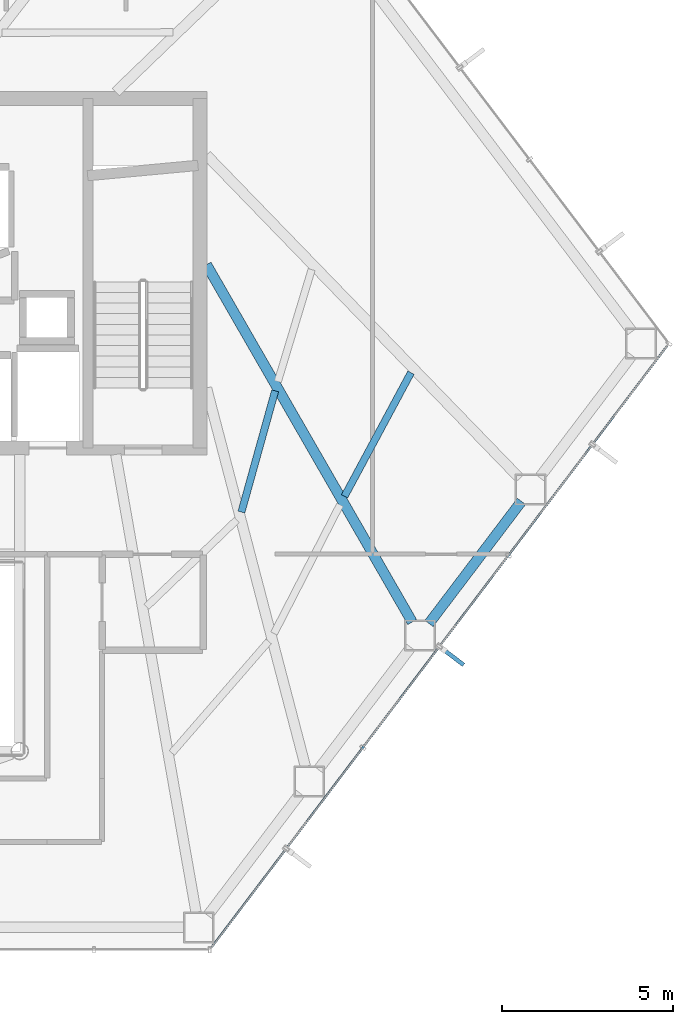
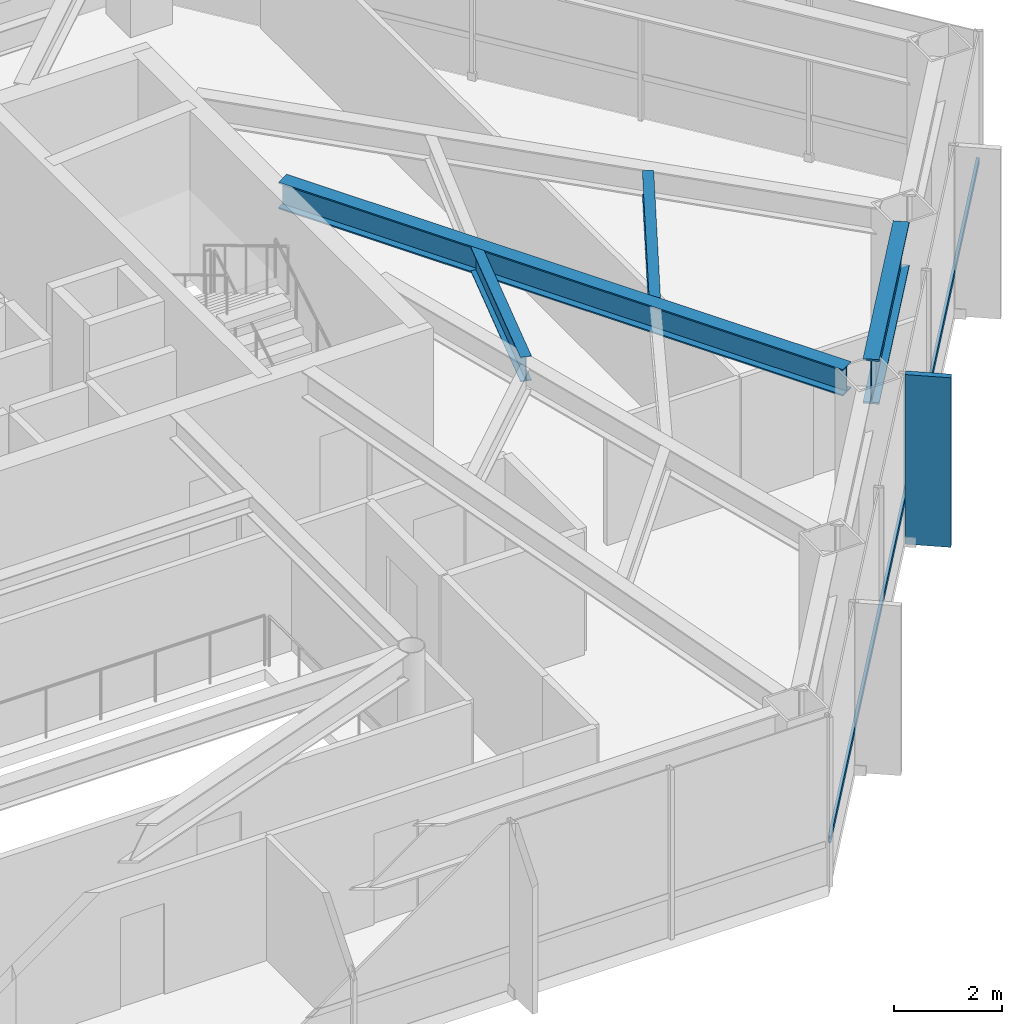
# One storey, part 15 of 24: 4 beams, 2 members, 1 element without a shape of its own.
"""IFC4 building model written with IfcOpenShell, lengths in metres."""

from ifc_helpers import new_model, si_unit, direction, frame, origin, origin_2d, place, context, subcontext, project, spatial, rectangle, hollow_rectangle, i_section, extrude, material, layer, layer_set, material_profile, profile_set, type_object, element, aggregate, save


model = new_model("IFC4")

# Units and contexts
model_context = context("Model", 3, precision=1e-05, world=origin(), true_north=direction((0.0, 1.0)))
body_context = subcontext(model_context, "Body", "Model", "MODEL_VIEW")
ifc_project = project(units=[si_unit("LENGTHUNIT", "METRE"), si_unit("AREAUNIT", "SQUARE_METRE"), si_unit("VOLUMEUNIT", "CUBIC_METRE"), si_unit("PLANEANGLEUNIT", "RADIAN"), si_unit("MASSUNIT", "GRAM", prefix="KILO")], contexts=[model_context])

# Site, building, storey
site_placement = place(None, origin())
site = spatial("IfcSite", under=ifc_project, at=site_placement, CompositionType="ELEMENT")
building_placement = place(site_placement, origin())
building = spatial("IfcBuilding", under=site, at=building_placement, Name="Zarrinselat Tower", CompositionType="ELEMENT")
storey_placement = place(building_placement, frame((0.0, 0.0, 76.5)))
storey = spatial("IfcBuildingStorey", under=building, at=storey_placement, Name="L18", CompositionType="ELEMENT", Elevation=76.5)

# Beams
ifc_material_1 = material(Name="Steel S355J2", Category="steel")
ifc_material_profile_1 = material_profile(ifc_material_1, i_section(OverallWidth=0.300048828125, OverallDepth=0.60009765625, WebThickness=0.015380859375, FlangeThickness=0.030029296875, at=origin_2d()), Name="HEB 600")
ifc_profile_set_1 = profile_set([ifc_material_profile_1], Name="Steel S355J2")
beam_type_1 = type_object("IfcBeamType", Name="BM-HEB600", PredefinedType="BEAM", material=ifc_profile_set_1)
beam_1_placement = place(storey_placement, frame((48.449951171875, 38.60009765625, 3.52001953125), z_axis=(0.498865177679, -0.86667960314, 0.0), x_axis=(0.86667960314, 0.498865177679, 0.0)))
element("IfcBeam", 1, at=beam_1_placement, inside=storey, type_object=beam_type_1, Name="L18 Radial Primary Girder RG13", PredefinedType="BEAM", context=body_context, shape_type="SweptSolid", body=[
    extrude(i_section(OverallWidth=0.300048828125, OverallDepth=0.60009765625, WebThickness=0.015380859375, FlangeThickness=0.030029296875, at=origin_2d()), origin(), (0.0, 0.0, 1.0), 12.03466796875),
])
ifc_material_2 = material(Name="Steel S460M", Category="steel")
ifc_material_profile_2 = material_profile(ifc_material_2, i_section(OverallWidth=0.302001953125, OverallDepth=1.008056640625, WebThickness=0.02099609375, FlangeThickness=0.0400390625, at=origin_2d()), Name="HEM 1000")
ifc_profile_set_2 = profile_set([ifc_material_profile_2], Name="Steel S460M")
beam_type_2 = type_object("IfcBeamType", Name="BM-HEM1000", PredefinedType="BEAM", material=ifc_profile_set_2)
beam_2_placement = place(storey_placement, frame((54.943603515625, 28.127197265625, 3.31591796875), z_axis=(0.603846122935, 0.797100909431, 0.0), x_axis=(-0.797100909431, 0.603846122935, 0.0)))
element("IfcBeam", 2, at=beam_2_placement, inside=storey, type_object=beam_type_2, Name="L18 Perimeter Spandrel Girder SP13", PredefinedType="BEAM", context=body_context, shape_type="SweptSolid", body=[
    extrude(i_section(OverallWidth=0.302001953125, OverallDepth=1.008056640625, WebThickness=0.02099609375, FlangeThickness=0.0400390625, at=origin_2d()), origin(), (0.0, 0.0, 1.0), 4.470947265625),
])
ifc_material_3 = material(Name="Steel S355J2", Category="steel")
ifc_material_profile_3 = material_profile(ifc_material_3, i_section(OverallWidth=0.2099609375, OverallDepth=0.550048828125, WebThickness=0.010986328125, FlangeThickness=0.01708984375, at=origin_2d()), Name="IPE 550")
ifc_profile_set_3 = profile_set([ifc_material_profile_3], Name="Steel S355J2")
beam_type_3 = type_object("IfcBeamType", Name="BM-IPE550", PredefinedType="JOIST", material=ifc_profile_set_3)
beam_3_placement = place(storey_placement, frame((49.468994140625, 31.379150390625, 3.544921875), z_axis=(0.267983129729, 0.963423604745, 0.0), x_axis=(-0.963423604745, 0.267983129729, 0.0)))
element("IfcBeam", 3, at=beam_3_placement, inside=storey, type_object=beam_type_3, Name="L18 Composite Floor Joist 4-2", PredefinedType="JOIST", context=body_context, shape_type="SweptSolid", body=[
    extrude(i_section(OverallWidth=0.2099609375, OverallDepth=0.550048828125, WebThickness=0.010986328125, FlangeThickness=0.01708984375, at=origin_2d()), origin(), (0.0, 0.0, 1.0), 3.674072265625),
])
beam_4_placement = place(storey_placement, frame((52.478759765625, 31.839599609375, 3.544921875), z_axis=(0.473307320039, 0.880897372455, 0.0), x_axis=(-0.880897372455, 0.473307320039, 0.0)))
element("IfcBeam", 4, at=beam_4_placement, inside=storey, type_object=beam_type_3, Name="L18 Composite Floor Joist 5-1", PredefinedType="JOIST", context=body_context, shape_type="SweptSolid", body=[
    extrude(i_section(OverallWidth=0.2099609375, OverallDepth=0.550048828125, WebThickness=0.010986328125, FlangeThickness=0.01708984375, at=origin_2d()), origin(), (0.0, 0.0, 1.0), 4.09765625),
])

# Curtain wall, members
ifc_material_4 = material(Name="Extruded Aluminium Alloy EN AW-6063 T6", Category="aluminium")
ifc_layer = layer(ifc_material_4, 0.18505859375)
ifc_layer_set = layer_set([ifc_layer], Name="Extruded Aluminium Alloy EN AW-6063 T6")
curtain_wall_type = type_object("IfcCurtainWallType", Name="CWS-OFF", PredefinedType="NOTDEFINED", material=ifc_layer_set)
curtain_wall_placement = place(storey_placement, origin())
curtain_wall = element("IfcCurtainWall", 5, at=curtain_wall_placement, inside=storey, type_object=curtain_wall_type, Name="L18 Unitised Curtain Wall CW-L18-E05", PredefinedType="NOTDEFINED")
ifc_material_5 = material(Name="Extruded Aluminium Alloy EN AW-6063 T6", Category="aluminium")
ifc_material_profile_4 = material_profile(ifc_material_5, hollow_rectangle(XDim=0.06005859375, YDim=0.139892578125, WallThickness=0.00390625, at=origin_2d()), Name="RHS 140x60x4")
ifc_profile_set_4 = profile_set([ifc_material_profile_4], Name="Extruded Aluminium Alloy EN AW-6063 T6")
member_type_1 = type_object("IfcMemberType", Name="MEM-CW-TRN", PredefinedType="USERDEFINED", material=ifc_profile_set_4)
member_1_placement = place(storey_placement, frame((48.599609375, 18.676513671875, 0.949951171875), z_axis=(0.603851071095, 0.797097160914, 0.0), x_axis=(-0.797097160914, 0.603851071095, 0.0)))
member_1 = element("IfcMember", 6, at=member_1_placement, type_object=member_type_1, Name="CW-L18-E05 Transom 1", ObjectType="TRANSOM", PredefinedType="USERDEFINED", context=body_context, shape_type="SweptSolid", body=[
    extrude(hollow_rectangle(XDim=0.06005859375, YDim=0.139892578125, WallThickness=0.00390625, at=origin_2d()), origin(), (0.0, 0.0, 1.0), 22.021728515625),
])
ifc_material_6 = material(Name="Honed Cream Travertine Stone", Category="masonry")
ifc_material_profile_5 = material_profile(ifc_material_6, rectangle(XDim=0.1201171875, YDim=0.85009765625, at=origin_2d()), Name="FIN 850x120")
ifc_profile_set_5 = profile_set([ifc_material_profile_5], Name="Honed Cream Travertine Stone")
member_type_2 = type_object("IfcMemberType", Name="MEM-STONE-FIN", PredefinedType="USERDEFINED", material=ifc_profile_set_5)
member_2_placement = place(storey_placement, frame((55.615234375, 27.175537109375, 0.0), z_axis=(0.0, 0.0, 1.0), x_axis=(-0.603855086386, -0.797094119063, 0.0)))
member_2 = element("IfcMember", 7, at=member_2_placement, type_object=member_type_2, Name="L18 Stone Shading Fin CW-L18-E05-03", ObjectType="FIN", PredefinedType="USERDEFINED", context=body_context, shape_type="SweptSolid", body=[
    extrude(rectangle(XDim=0.1201171875, YDim=0.85009765625, at=origin_2d()), origin(), (0.0, 0.0, 1.0), 3.820068359375),
])
aggregate(curtain_wall, [member_2, member_1])

save(model, "model.ifc")
